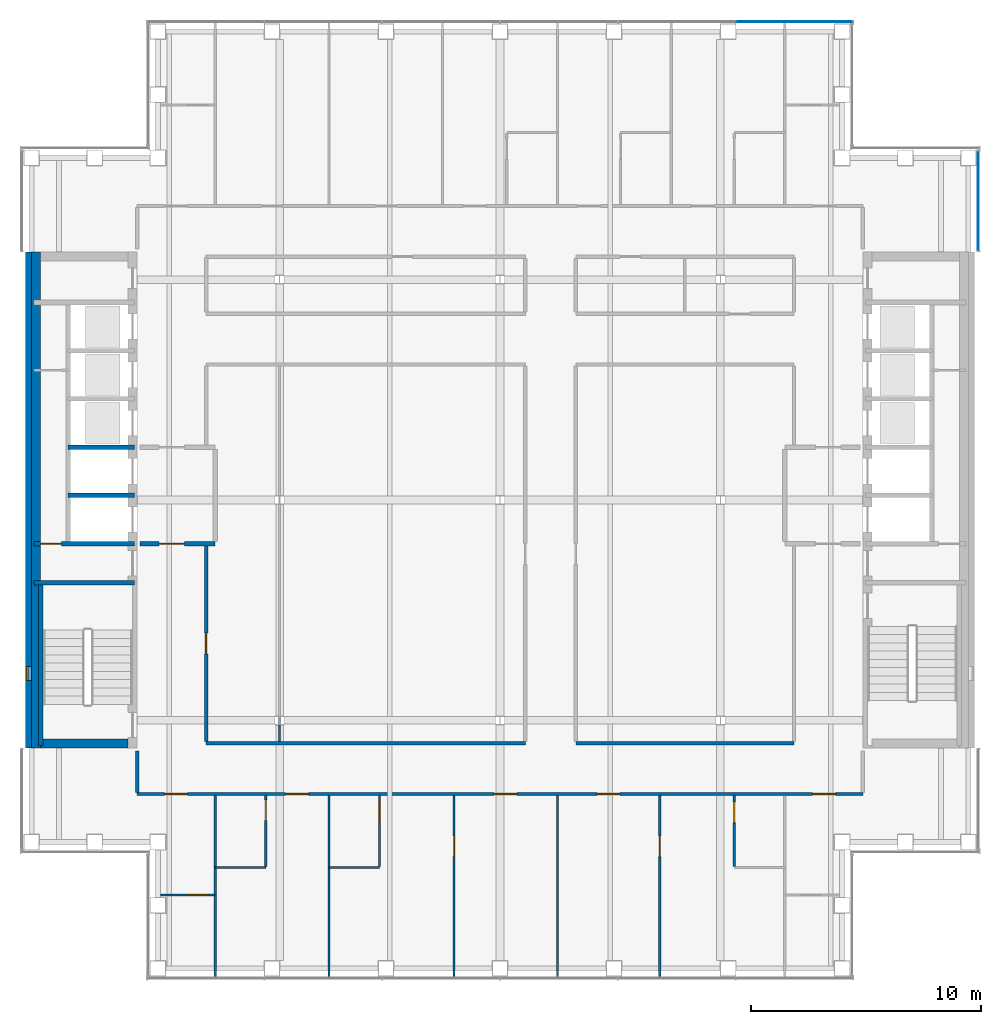
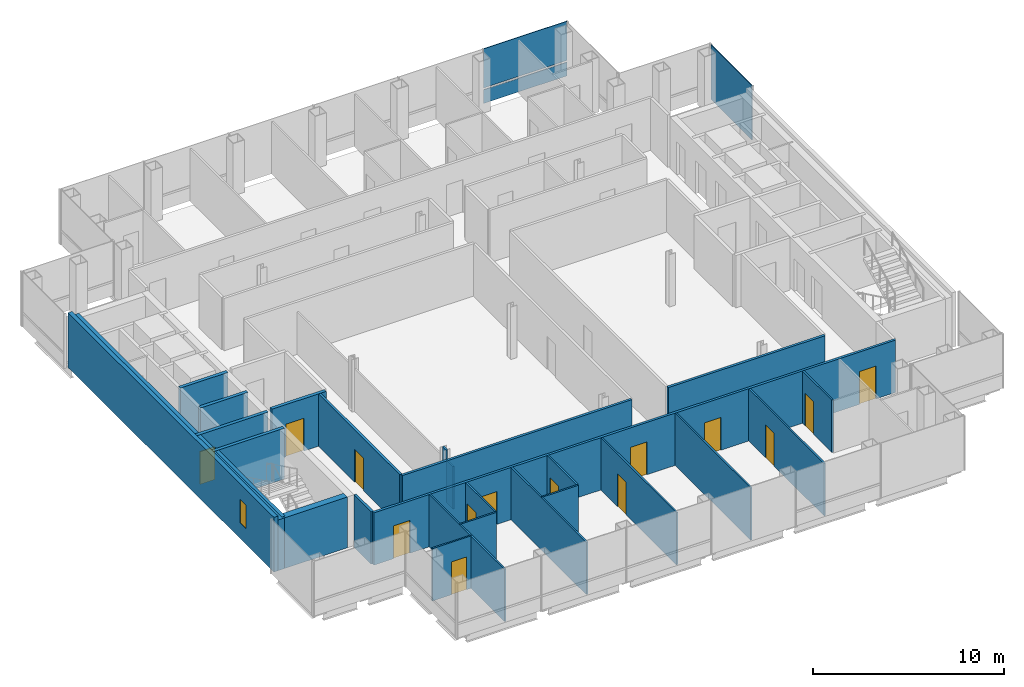
# One storey, part 10 of 15: 27 walls, 14 doors, 3 plates, 1 window, 15 openings, 2 elements without a shape of their own.
"""IFC4 building model written with IfcOpenShell, lengths in metres."""

from ifc_helpers import new_model, si_unit, direction, frame, frame_2d, origin, origin_2d, place, context, subcontext, project, spatial, rectangle, extrude, material, layer, layer_set, type_object, element, fill, aggregate, save


model = new_model("IFC4")

# Units and contexts
model_context = context("Model", 3, precision=1e-05, world=origin(), true_north=direction((0.0, 1.0)))
body_context = subcontext(model_context, "Body", "Model", "MODEL_VIEW")
ifc_project = project(units=[si_unit("LENGTHUNIT", "METRE"), si_unit("AREAUNIT", "SQUARE_METRE"), si_unit("VOLUMEUNIT", "CUBIC_METRE"), si_unit("PLANEANGLEUNIT", "RADIAN"), si_unit("MASSUNIT", "GRAM", prefix="KILO")], contexts=[model_context])

# Site, building, storey
site_placement = place(None, origin())
site = spatial("IfcSite", under=ifc_project, at=site_placement, CompositionType="ELEMENT")
building_placement = place(site_placement, origin())
building = spatial("IfcBuilding", under=site, at=building_placement, Name="Cobrizo Arcos Hotel Tower", CompositionType="ELEMENT")
storey_placement = place(building_placement, frame((0.0, 0.0, 215.5)))
storey = spatial("IfcBuildingStorey", under=building, at=storey_placement, Name="L56", CompositionType="ELEMENT", Elevation=215.5)

# Curtain wall, plate
ifc_material_1 = material(Name="Aluminium 6063-T6 anodised bronze", Category="aluminium")
curtain_wall_type = type_object("IfcCurtainWallType", Name="CW-A guest facade", PredefinedType="NOTDEFINED", material=ifc_material_1)
curtain_wall_1_placement = place(storey_placement, origin())
curtain_wall_1 = element("IfcCurtainWall", 1, at=curtain_wall_1_placement, inside=storey, type_object=curtain_wall_type, Name="CW-A L56 N face", PredefinedType="NOTDEFINED")
ifc_material_2 = material(Name="Glass clear laminated low-e", Category="glass")
ifc_layer_1 = layer(ifc_material_2, 0.0400390625)
ifc_layer_set_1 = layer_set([ifc_layer_1], Name="CW-A glass panel")
plate_type_1 = type_object("IfcPlateType", Name="CW-A glass panel", PredefinedType="CURTAIN_PANEL", material=ifc_layer_set_1)
plate_1_placement = place(storey_placement, frame((12.818359375, 20.824951171875, 0.990234375), z_axis=(0.0, 0.0, 1.0), x_axis=(-1.0, 0.0, 0.0)))
plate_1 = element("IfcPlate", 2, at=plate_1_placement, type_object=plate_type_1, Name="CW-A glass panel 1876", PredefinedType="CURTAIN_PANEL", context=body_context, shape_type="SweptSolid", body=[
    extrude(rectangle(XDim=5.043212890625, YDim=0.0400390625, at=origin_2d()), origin(), (0.0, 0.0, 1.0), 2.510009765625),
])

curtain_wall_2_placement = place(storey_placement, origin())
curtain_wall_2 = element("IfcCurtainWall", 3, at=curtain_wall_2_placement, inside=storey, type_object=curtain_wall_type, Name="CW-A L56 E face", PredefinedType="NOTDEFINED")
ifc_material_3 = material(Name="Aluminium composite panel pale metal", Category="aluminium")
ifc_layer_2 = layer(ifc_material_3, 0.0400390625)
ifc_layer_set_2 = layer_set([ifc_layer_2], Name="CW-A spandrel panel")
plate_type_2 = type_object("IfcPlateType", Name="CW-A spandrel panel", PredefinedType="CURTAIN_PANEL", material=ifc_layer_set_2)
plate_2_placement = place(storey_placement, frame((20.824951171875, 13.02490234375, 0.0), z_axis=(0.0, 0.0, 1.0), x_axis=(0.0, 1.0, 0.0)))
plate_2 = element("IfcPlate", 4, at=plate_2_placement, type_object=plate_type_2, Name="CW-A spandrel panel 1873", PredefinedType="CURTAIN_PANEL", context=body_context, shape_type="SweptSolid", body=[
    extrude(rectangle(XDim=4.330078125, YDim=0.0400390625, at=origin_2d()), origin(), (0.0, 0.0, 1.0), 3.5),
])
aggregate(curtain_wall_2, [plate_2])

# Plate
plate_3_placement = place(storey_placement, frame((12.818359375, 20.824951171875, 0.0), z_axis=(0.0, 0.0, 1.0), x_axis=(-1.0, 0.0, 0.0)))
plate_3 = element("IfcPlate", 5, at=plate_3_placement, type_object=plate_type_2, Name="CW-A spandrel panel 1876", PredefinedType="CURTAIN_PANEL", context=body_context, shape_type="SweptSolid", body=[
    extrude(rectangle(XDim=5.043212890625, YDim=0.0400390625, at=origin_2d()), origin(), (0.0, 0.0, 1.0), 0.8701171875),
])

aggregate(curtain_wall_1, [plate_3, plate_1])

# Wall, openings, doors
ifc_material_4 = material(Name="Gypsum board partition")
ifc_layer_3 = layer(ifc_material_4, 0.14990234375)
ifc_layer_set_3 = layer_set([ifc_layer_3], Name="Corridor wall EI 60 150")
wall_type_1 = type_object("IfcWallType", Name="Corridor wall EI 60 150", PredefinedType="PARTITIONING", material=ifc_layer_set_3)
wall_1_placement = place(storey_placement, frame((-15.800048828125, -12.800048828125, 0.0), z_axis=(0.0, 0.0, 1.0), x_axis=(1.0, 0.0, 0.0)))
wall_1 = element("IfcWall", 6, at=wall_1_placement, inside=storey, type_object=wall_type_1, Name="Partition 006", PredefinedType="PARTITIONING", context=body_context, shape_type="SweptSolid", body=[
    extrude(rectangle(XDim=31.60009765625, YDim=0.14990234375, at=frame_2d((15.800048828125, 0.0))), origin(), (0.0, 0.0, 1.0), 3.35009765625),
])
opening_1_placement = place(wall_1_placement, frame((6.466064453125, 0.0, 0.0)))
opening_1 = element("IfcOpeningElement", 7, at=opening_1_placement, cuts=wall_1, Name="Opening GD-04", PredefinedType="OPENING", context=body_context, shape_type="SweptSolid", body=[
    extrude(rectangle(XDim=1.0, YDim=2.10009765625, at=frame_2d((0.5, 1.050048828125))), frame((0.0, 0.0869140625, 0.0), z_axis=(0.0, -1.0, 0.0), x_axis=(1.0, 0.0, 0.0)), (0.0, 0.0, 1.0), 0.173828125),
])
opening_2_placement = place(wall_1_placement, frame((15.548095703125, 0.0, 0.0)))
opening_2 = element("IfcOpeningElement", 8, at=opening_2_placement, cuts=wall_1, Name="Opening GD-05", PredefinedType="OPENING", context=body_context, shape_type="SweptSolid", body=[
    extrude(rectangle(XDim=1.0, YDim=2.10009765625, at=frame_2d((0.5, 1.050048828125))), frame((0.0, 0.0869140625, 0.0), z_axis=(0.0, -1.0, 0.0), x_axis=(1.0, 0.0, 0.0)), (0.0, 0.0, 1.0), 0.173828125),
])
opening_3_placement = place(wall_1_placement, frame((20.01806640625, 0.0, 0.0)))
opening_3 = element("IfcOpeningElement", 9, at=opening_3_placement, cuts=wall_1, Name="Opening GD-06", PredefinedType="OPENING", context=body_context, shape_type="SweptSolid", body=[
    extrude(rectangle(XDim=1.0, YDim=2.10009765625, at=frame_2d((0.5, 1.050048828125))), frame((0.0, 0.0869140625, 0.0), z_axis=(0.0, -1.0, 0.0), x_axis=(1.0, 0.0, 0.0)), (0.0, 0.0, 1.0), 0.173828125),
])
opening_4_placement = place(wall_1_placement, frame((1.19189453125, 0.0, 0.0)))
opening_4 = element("IfcOpeningElement", 10, at=opening_4_placement, cuts=wall_1, Name="Opening GD-07", PredefinedType="OPENING", context=body_context, shape_type="SweptSolid", body=[
    extrude(rectangle(XDim=1.0, YDim=2.10009765625, at=frame_2d((0.5, 1.050048828125))), frame((0.0, 0.0869140625, 0.0), z_axis=(0.0, -1.0, 0.0), x_axis=(1.0, 0.0, 0.0)), (0.0, 0.0, 1.0), 0.173828125),
])
opening_5_placement = place(wall_1_placement, frame((29.408935546875, 0.0, 0.0)))
opening_5 = element("IfcOpeningElement", 11, at=opening_5_placement, cuts=wall_1, Name="Opening GD-09", PredefinedType="OPENING", context=body_context, shape_type="SweptSolid", body=[
    extrude(rectangle(XDim=1.0, YDim=2.10009765625, at=frame_2d((0.5, 1.050048828125))), frame((0.0, 0.0869140625, 0.0), z_axis=(0.0, -1.0, 0.0), x_axis=(1.0, 0.0, 0.0)), (0.0, 0.0, 1.0), 0.173828125),
])
ifc_material_5 = material(Name="Timber door leaf", Category="wood")
door_type_1 = type_object("IfcDoorType", Name="Guest room door FD30S 1000x2100", OperationType="SINGLE_SWING_LEFT", PredefinedType="DOOR", material=ifc_material_5)
door_1_placement = place(opening_1_placement, origin())
door_1 = element("IfcDoor", 12, at=door_1_placement, inside=storey, type_object=door_type_1, Name="Door GD-04", OperationType="SINGLE_SWING_LEFT", OverallHeight=2.10009765625, OverallWidth=1.0, PredefinedType="DOOR", context=body_context, shape_type="SweptSolid", body=[
    extrude(rectangle(XDim=1.0, YDim=2.10009765625, at=frame_2d((0.5, 1.050048828125))), frame((0.0, 0.02490234375, 0.0), z_axis=(0.0, -1.0, 0.0), x_axis=(1.0, 0.0, 0.0)), (0.0, 0.0, 1.0), 0.050048828125),
])
fill(opening_1, door_1)
door_2_placement = place(opening_2_placement, origin())
door_2 = element("IfcDoor", 13, at=door_2_placement, inside=storey, type_object=door_type_1, Name="Door GD-05", OperationType="SINGLE_SWING_RIGHT", OverallHeight=2.10009765625, OverallWidth=1.0, PredefinedType="DOOR", context=body_context, shape_type="SweptSolid", body=[
    extrude(rectangle(XDim=1.0, YDim=2.10009765625, at=frame_2d((0.5, 1.050048828125))), frame((0.0, 0.02490234375, 0.0), z_axis=(0.0, -1.0, 0.0), x_axis=(1.0, 0.0, 0.0)), (0.0, 0.0, 1.0), 0.050048828125),
])
fill(opening_2, door_2)
door_3_placement = place(opening_3_placement, origin())
door_3 = element("IfcDoor", 14, at=door_3_placement, inside=storey, type_object=door_type_1, Name="Door GD-06", OperationType="SINGLE_SWING_LEFT", OverallHeight=2.10009765625, OverallWidth=1.0, PredefinedType="DOOR", context=body_context, shape_type="SweptSolid", body=[
    extrude(rectangle(XDim=1.0, YDim=2.10009765625, at=frame_2d((0.5, 1.050048828125))), frame((0.0, 0.02490234375, 0.0), z_axis=(0.0, -1.0, 0.0), x_axis=(1.0, 0.0, 0.0)), (0.0, 0.0, 1.0), 0.050048828125),
])
fill(opening_3, door_3)
door_4_placement = place(opening_4_placement, origin())
door_4 = element("IfcDoor", 15, at=door_4_placement, inside=storey, type_object=door_type_1, Name="Door GD-07", OperationType="SINGLE_SWING_RIGHT", OverallHeight=2.10009765625, OverallWidth=1.0, PredefinedType="DOOR", context=body_context, shape_type="SweptSolid", body=[
    extrude(rectangle(XDim=1.0, YDim=2.10009765625, at=frame_2d((0.5, 1.050048828125))), frame((0.0, 0.02490234375, 0.0), z_axis=(0.0, -1.0, 0.0), x_axis=(1.0, 0.0, 0.0)), (0.0, 0.0, 1.0), 0.050048828125),
])
fill(opening_4, door_4)
door_5_placement = place(opening_5_placement, origin())
door_5 = element("IfcDoor", 16, at=door_5_placement, inside=storey, type_object=door_type_1, Name="Door GD-09", OperationType="SINGLE_SWING_LEFT", OverallHeight=2.10009765625, OverallWidth=1.0, PredefinedType="DOOR", context=body_context, shape_type="SweptSolid", body=[
    extrude(rectangle(XDim=1.0, YDim=2.10009765625, at=frame_2d((0.5, 1.050048828125))), frame((0.0, 0.02490234375, 0.0), z_axis=(0.0, -1.0, 0.0), x_axis=(1.0, 0.0, 0.0)), (0.0, 0.0, 1.0), 0.050048828125),
])
fill(opening_5, door_5)

# Walls
wall_2_placement = place(storey_placement, frame((-12.800048828125, -10.60009765625, 0.0), z_axis=(0.0, 0.0, 1.0), x_axis=(1.0, 0.0, 0.0)))
element("IfcWall", 17, at=wall_2_placement, inside=storey, type_object=wall_type_1, Name="Partition 007", PredefinedType="PARTITIONING", context=body_context, shape_type="SweptSolid", body=[
    extrude(rectangle(XDim=13.900146484375, YDim=0.14990234375, at=frame_2d((6.9501953125, 0.0))), origin(), (0.0, 0.0, 1.0), 3.35009765625),
])
wall_3_placement = place(storey_placement, frame((3.300048828125, -10.60009765625, 0.0), z_axis=(0.0, 0.0, 1.0), x_axis=(1.0, 0.0, 0.0)))
element("IfcWall", 18, at=wall_3_placement, inside=storey, type_object=wall_type_1, Name="Partition 008", PredefinedType="PARTITIONING", context=body_context, shape_type="SweptSolid", body=[
    extrude(rectangle(XDim=9.5, YDim=0.14990234375, at=frame_2d((4.75, 0.0))), origin(), (0.0, 0.0, 1.0), 3.35009765625),
])
wall_4_placement = place(storey_placement, frame((-15.800048828125, -12.72509765625, 0.0), z_axis=(0.0, 0.0, 1.0), x_axis=(0.0, 1.0, 0.0)))
element("IfcWall", 19, at=wall_4_placement, inside=storey, type_object=wall_type_1, Name="Partition 043", PredefinedType="PARTITIONING", context=body_context, shape_type="SweptSolid", body=[
    extrude(rectangle(XDim=1.80517578125, YDim=0.14990234375, at=frame_2d((0.902587890625, 0.0))), origin(), (0.0, 0.0, 1.0), 3.35009765625),
])

# Wall, opening, door
wall_5_placement = place(storey_placement, frame((-12.800048828125, -10.52490234375, 0.0), z_axis=(0.0, 0.0, 1.0), x_axis=(0.0, 1.0, 0.0)))
wall_5 = element("IfcWall", 20, at=wall_5_placement, inside=storey, type_object=wall_type_1, Name="Partition 045", PredefinedType="PARTITIONING", context=body_context, shape_type="SweptSolid", body=[
    extrude(rectangle(XDim=8.52490234375, YDim=0.14990234375, at=frame_2d((4.262451171875, 0.0))), origin(), (0.0, 0.0, 1.0), 3.35009765625),
])
opening_6_placement = place(wall_5_placement, frame((3.824951171875, 0.0, 0.0)))
opening_6 = element("IfcOpeningElement", 21, at=opening_6_placement, cuts=wall_5, Name="Opening RD-11", PredefinedType="OPENING", context=body_context, shape_type="SweptSolid", body=[
    extrude(rectangle(XDim=0.89990234375, YDim=2.10009765625, at=frame_2d((0.449951171875, 1.050048828125))), frame((0.0, 0.0869140625, 0.0), z_axis=(0.0, -1.0, 0.0), x_axis=(1.0, 0.0, 0.0)), (0.0, 0.0, 1.0), 0.173828125),
])
door_type_2 = type_object("IfcDoorType", Name="Room door FD30 900x2100", OperationType="SINGLE_SWING_LEFT", PredefinedType="DOOR", material=ifc_material_5)
door_6_placement = place(opening_6_placement, origin())
door_6 = element("IfcDoor", 22, at=door_6_placement, inside=storey, type_object=door_type_2, Name="Door RD-11", OperationType="SINGLE_SWING_LEFT", OverallHeight=2.10009765625, OverallWidth=0.89990234375, PredefinedType="DOOR", context=body_context, shape_type="SweptSolid", body=[
    extrude(rectangle(XDim=0.89990234375, YDim=2.10009765625, at=frame_2d((0.449951171875, 1.050048828125))), frame((0.0, 0.02490234375, 0.0), z_axis=(0.0, -1.0, 0.0), x_axis=(1.0, 0.0, 0.0)), (0.0, 0.0, 1.0), 0.050048828125),
])
fill(opening_6, door_6)

# Wall, opening, window
ifc_layer_4 = layer(ifc_material_3, 0.25)
ifc_layer_set_4 = layer_set([ifc_layer_4], Name="EW-1 insulated panel wall 250")
wall_type_2 = type_object("IfcWallType", Name="EW-1 insulated panel wall 250", PredefinedType="SOLIDWALL", material=ifc_layer_set_4)
wall_6_placement = place(storey_placement, frame((-20.52490234375, 10.800048828125, 0.0), z_axis=(0.0, 0.0, 1.0), x_axis=(0.0, -1.0, 0.0)))
wall_6 = element("IfcWall", 23, at=wall_6_placement, inside=storey, type_object=wall_type_2, Name="Core face wall L56 W", PredefinedType="SOLIDWALL", context=body_context, shape_type="SweptSolid", body=[
    extrude(rectangle(XDim=21.60009765625, YDim=0.25, at=frame_2d((10.800048828125, 0.0))), origin(), (0.0, 0.0, 1.0), 3.5),
])
opening_7_placement = place(wall_6_placement, frame((18.050048828125, 0.0, 1.0)))
opening_7 = element("IfcOpeningElement", 24, at=opening_7_placement, cuts=wall_6, Name="Opening W-126", PredefinedType="OPENING", context=body_context, shape_type="SweptSolid", body=[
    extrude(rectangle(XDim=0.60009765625, YDim=1.5, at=frame_2d((0.300048828125, 0.75))), frame((0.0, 0.136962890625, 0.0), z_axis=(0.0, -1.0, 0.0), x_axis=(1.0, 0.0, 0.0)), (0.0, 0.0, 1.0), 0.27392578125),
])
ifc_material_6 = material(Name="Aluminium 6063-T6 and clear laminated glass", Category="aluminium")
window_type = type_object("IfcWindowType", Name="W-C1 core stair slot window 600x1500", PartitioningType="SINGLE_PANEL", PredefinedType="WINDOW", material=ifc_material_6)
window_placement = place(opening_7_placement, origin())
window = element("IfcWindow", 25, at=window_placement, inside=storey, type_object=window_type, Name="Core face wall L56 W window W-126", OverallHeight=1.5, OverallWidth=0.60009765625, PartitioningType="SINGLE_PANEL", PredefinedType="WINDOW", context=body_context, shape_type="SweptSolid", body=[
    extrude(rectangle(XDim=0.60009765625, YDim=1.5, at=frame_2d((0.300048828125, 0.75))), frame((0.0, -0.034912109375, 0.0), z_axis=(0.0, -1.0, 0.0), x_axis=(1.0, 0.0, 0.0)), (0.0, 0.0, 1.0), 0.06005859375),
])
fill(opening_7, window)

# Wall, opening, door
ifc_layer_5 = layer(ifc_material_4, 0.10009765625)
ifc_layer_set_5 = layer_set([ifc_layer_5], Name="Partition EI 30 100")
wall_type_3 = type_object("IfcWallType", Name="Partition EI 30 100", PredefinedType="PARTITIONING", material=ifc_layer_set_5)
wall_7_placement = place(storey_placement, frame((-14.780029296875, -17.199951171875, 0.0), z_axis=(0.0, 0.0, 1.0), x_axis=(1.0, 0.0, 0.0)))
wall_7 = element("IfcWall", 26, at=wall_7_placement, inside=storey, type_object=wall_type_3, Name="Partition 001", PredefinedType="PARTITIONING", context=body_context, shape_type="SweptSolid", body=[
    extrude(rectangle(XDim=2.380126953125, YDim=0.10009765625, at=frame_2d((1.18994140625, 0.0))), origin(), (0.0, 0.0, 1.0), 3.35009765625),
])
opening_8_placement = place(wall_7_placement, frame((1.16796875, 0.0, 0.0)))
opening_8 = element("IfcOpeningElement", 27, at=opening_8_placement, cuts=wall_7, Name="Opening ED-08", PredefinedType="OPENING", context=body_context, shape_type="SweptSolid", body=[
    extrude(rectangle(XDim=0.89990234375, YDim=2.10009765625, at=frame_2d((0.449951171875, 1.050048828125))), frame((0.0, 0.06201171875, 0.0), z_axis=(0.0, -1.0, 0.0), x_axis=(1.0, 0.0, 0.0)), (0.0, 0.0, 1.0), 0.1240234375),
])
door_type_3 = type_object("IfcDoorType", Name="En-suite door 900x2100", OperationType="SINGLE_SWING_LEFT", PredefinedType="DOOR", material=ifc_material_5)
door_7_placement = place(opening_8_placement, origin())
door_7 = element("IfcDoor", 28, at=door_7_placement, inside=storey, type_object=door_type_3, Name="Door ED-08", OperationType="SINGLE_SWING_RIGHT", OverallHeight=2.10009765625, OverallWidth=0.89990234375, PredefinedType="DOOR", context=body_context, shape_type="SweptSolid", body=[
    extrude(rectangle(XDim=0.89990234375, YDim=2.10009765625, at=frame_2d((0.449951171875, 1.050048828125))), frame((0.0, 0.02490234375, 0.0), z_axis=(0.0, -1.0, 0.0), x_axis=(1.0, 0.0, 0.0)), (0.0, 0.0, 1.0), 0.050048828125),
])
fill(opening_8, door_7)

# Walls
for number, where, z_axis, x_axis, name in (
    (29, (-12.39990234375, -16.0, 0.0), (0.0, 0.0, 1.0), (1.0, 0.0, 0.0), "Partition 003"),
    (30, (-7.449951171875, -16.0, 0.0), (0.0, 0.0, 1.0), (1.0, 0.0, 0.0), "Partition 004"),
):
    element("IfcWall", number, at=place(storey_placement, frame(where, z_axis=z_axis, x_axis=x_axis)), inside=storey, type_object=wall_type_3, Name=name, PredefinedType="PARTITIONING", context=body_context, shape_type="SweptSolid", body=[
        extrude(rectangle(XDim=2.199951171875, YDim=0.10009765625, at=frame_2d((1.10009765625, 0.0))), origin(), (0.0, 0.0, 1.0), 3.35009765625),
    ])
wall_8_placement = place(storey_placement, frame((-12.39990234375, -20.780029296875, 0.0), z_axis=(0.0, 0.0, 1.0), x_axis=(0.0, 1.0, 0.0)))
element("IfcWall", 31, at=wall_8_placement, inside=storey, type_object=wall_type_3, Name="Partition 048", PredefinedType="PARTITIONING", context=body_context, shape_type="SweptSolid", body=[
    extrude(rectangle(XDim=7.905029296875, YDim=0.10009765625, at=frame_2d((3.95263671875, 0.0))), origin(), (0.0, 0.0, 1.0), 3.35009765625),
])

# Wall, opening, door
wall_9_placement = place(storey_placement, frame((-10.199951171875, -15.949951171875, 0.0), z_axis=(0.0, 0.0, 1.0), x_axis=(0.0, 1.0, 0.0)))
wall_9 = element("IfcWall", 32, at=wall_9_placement, inside=storey, type_object=wall_type_3, Name="Partition 051", PredefinedType="PARTITIONING", context=body_context, shape_type="SweptSolid", body=[
    extrude(rectangle(XDim=3.074951171875, YDim=0.10009765625, at=frame_2d((1.53759765625, 0.0))), origin(), (0.0, 0.0, 1.0), 3.35009765625),
])
opening_9_placement = place(wall_9_placement, frame((1.99609375, 0.0, 0.0)))
opening_9 = element("IfcOpeningElement", 33, at=opening_9_placement, cuts=wall_9, Name="Opening ED-05", PredefinedType="OPENING", context=body_context, shape_type="SweptSolid", body=[
    extrude(rectangle(XDim=0.89990234375, YDim=2.10009765625, at=frame_2d((0.449951171875, 1.050048828125))), frame((0.0, 0.06201171875, 0.0), z_axis=(0.0, -1.0, 0.0), x_axis=(1.0, 0.0, 0.0)), (0.0, 0.0, 1.0), 0.1240234375),
])
door_8_placement = place(opening_9_placement, origin())
door_8 = element("IfcDoor", 34, at=door_8_placement, inside=storey, type_object=door_type_3, Name="Door ED-05", OperationType="SINGLE_SWING_LEFT", OverallHeight=2.10009765625, OverallWidth=0.89990234375, PredefinedType="DOOR", context=body_context, shape_type="SweptSolid", body=[
    extrude(rectangle(XDim=0.89990234375, YDim=2.10009765625, at=frame_2d((0.449951171875, 1.050048828125))), frame((0.0, 0.02490234375, 0.0), z_axis=(0.0, -1.0, 0.0), x_axis=(1.0, 0.0, 0.0)), (0.0, 0.0, 1.0), 0.050048828125),
])
fill(opening_9, door_8)

# Walls
wall_10_placement = place(storey_placement, frame((-9.60009765625, -10.52490234375, 0.0), z_axis=(0.0, 0.0, 1.0), x_axis=(0.0, 1.0, 0.0)))
element("IfcWall", 35, at=wall_10_placement, inside=storey, type_object=wall_type_3, Name="Partition 052", PredefinedType="PARTITIONING", context=body_context, shape_type="SweptSolid", body=[
    extrude(rectangle(XDim=0.73779296875, YDim=0.10009765625, at=frame_2d((0.368896484375, 0.0))), origin(), (0.0, 0.0, 1.0), 2.72802734375),
])
wall_11_placement = place(storey_placement, frame((-9.60009765625, -9.787109375, 0.0), z_axis=(0.0, 0.0, 1.0), x_axis=(0.0, 1.0, 0.0)))
element("IfcWall", 36, at=wall_11_placement, inside=storey, type_object=wall_type_3, Name="Partition 053", PredefinedType="PARTITIONING", context=body_context, shape_type="SweptSolid", body=[
    extrude(rectangle(XDim=0.3740234375, YDim=0.10009765625, at=frame_2d((0.18701171875, 0.0))), origin(), (0.0, 0.0, 1.0), 3.35009765625),
])
wall_12_placement = place(storey_placement, frame((-7.449951171875, -20.780029296875, 0.0), z_axis=(0.0, 0.0, 1.0), x_axis=(0.0, 1.0, 0.0)))
element("IfcWall", 37, at=wall_12_placement, inside=storey, type_object=wall_type_3, Name="Partition 057", PredefinedType="PARTITIONING", context=body_context, shape_type="SweptSolid", body=[
    extrude(rectangle(XDim=7.905029296875, YDim=0.10009765625, at=frame_2d((3.95263671875, 0.0))), origin(), (0.0, 0.0, 1.0), 3.35009765625),
])

# Wall, opening, door
wall_13_placement = place(storey_placement, frame((-5.25, -15.949951171875, 0.0), z_axis=(0.0, 0.0, 1.0), x_axis=(0.0, 1.0, 0.0)))
wall_13 = element("IfcWall", 38, at=wall_13_placement, inside=storey, type_object=wall_type_3, Name="Partition 059", PredefinedType="PARTITIONING", context=body_context, shape_type="SweptSolid", body=[
    extrude(rectangle(XDim=3.074951171875, YDim=0.10009765625, at=frame_2d((1.53759765625, 0.0))), origin(), (0.0, 0.0, 1.0), 3.35009765625),
])
opening_10_placement = place(wall_13_placement, frame((1.89990234375, 0.0, 0.0)))
opening_10 = element("IfcOpeningElement", 39, at=opening_10_placement, cuts=wall_13, Name="Opening ED-06", PredefinedType="OPENING", context=body_context, shape_type="SweptSolid", body=[
    extrude(rectangle(XDim=0.89990234375, YDim=2.10009765625, at=frame_2d((0.449951171875, 1.050048828125))), frame((0.0, 0.06201171875, 0.0), z_axis=(0.0, -1.0, 0.0), x_axis=(1.0, 0.0, 0.0)), (0.0, 0.0, 1.0), 0.1240234375),
])
door_9_placement = place(opening_10_placement, origin())
door_9 = element("IfcDoor", 40, at=door_9_placement, inside=storey, type_object=door_type_3, Name="Door ED-06", OperationType="SINGLE_SWING_LEFT", OverallHeight=2.10009765625, OverallWidth=0.89990234375, PredefinedType="DOOR", context=body_context, shape_type="SweptSolid", body=[
    extrude(rectangle(XDim=0.89990234375, YDim=2.10009765625, at=frame_2d((0.449951171875, 1.050048828125))), frame((0.0, 0.02490234375, 0.0), z_axis=(0.0, -1.0, 0.0), x_axis=(1.0, 0.0, 0.0)), (0.0, 0.0, 1.0), 0.050048828125),
])
fill(opening_10, door_9)

wall_14_placement = place(storey_placement, frame((-2.0, -20.780029296875, 0.0), z_axis=(0.0, 0.0, 1.0), x_axis=(0.0, 1.0, 0.0)))
wall_14 = element("IfcWall", 41, at=wall_14_placement, inside=storey, type_object=wall_type_3, Name="Partition 061", PredefinedType="PARTITIONING", context=body_context, shape_type="SweptSolid", body=[
    extrude(rectangle(XDim=7.905029296875, YDim=0.10009765625, at=frame_2d((3.95263671875, 0.0))), origin(), (0.0, 0.0, 1.0), 3.35009765625),
])
opening_11_placement = place(wall_14_placement, frame((5.25, 0.0, 0.0)))
opening_11 = element("IfcOpeningElement", 42, at=opening_11_placement, cuts=wall_14, Name="Opening RD-08", PredefinedType="OPENING", context=body_context, shape_type="SweptSolid", body=[
    extrude(rectangle(XDim=0.89990234375, YDim=2.10009765625, at=frame_2d((0.449951171875, 1.050048828125))), frame((0.0, 0.06201171875, 0.0), z_axis=(0.0, -1.0, 0.0), x_axis=(1.0, 0.0, 0.0)), (0.0, 0.0, 1.0), 0.1240234375),
])
door_10_placement = place(opening_11_placement, origin())
door_10 = element("IfcDoor", 43, at=door_10_placement, inside=storey, type_object=door_type_2, Name="Door RD-08", OperationType="SINGLE_SWING_LEFT", OverallHeight=2.10009765625, OverallWidth=0.89990234375, PredefinedType="DOOR", context=body_context, shape_type="SweptSolid", body=[
    extrude(rectangle(XDim=0.89990234375, YDim=2.10009765625, at=frame_2d((0.449951171875, 1.050048828125))), frame((0.0, 0.02490234375, 0.0), z_axis=(0.0, -1.0, 0.0), x_axis=(1.0, 0.0, 0.0)), (0.0, 0.0, 1.0), 0.050048828125),
])
fill(opening_11, door_10)

# Wall
wall_15_placement = place(storey_placement, frame((2.5, -20.780029296875, 0.0), z_axis=(0.0, 0.0, 1.0), x_axis=(0.0, 1.0, 0.0)))
element("IfcWall", 44, at=wall_15_placement, inside=storey, type_object=wall_type_3, Name="Partition 065", PredefinedType="PARTITIONING", context=body_context, shape_type="SweptSolid", body=[
    extrude(rectangle(XDim=7.905029296875, YDim=0.10009765625, at=frame_2d((3.95263671875, 0.0))), origin(), (0.0, 0.0, 1.0), 3.35009765625),
])

# Wall, opening, door
wall_16_placement = place(storey_placement, frame((6.949951171875, -20.780029296875, 0.0), z_axis=(0.0, 0.0, 1.0), x_axis=(0.0, 1.0, 0.0)))
wall_16 = element("IfcWall", 45, at=wall_16_placement, inside=storey, type_object=wall_type_3, Name="Partition 070", PredefinedType="PARTITIONING", context=body_context, shape_type="SweptSolid", body=[
    extrude(rectangle(XDim=7.905029296875, YDim=0.10009765625, at=frame_2d((3.95263671875, 0.0))), origin(), (0.0, 0.0, 1.0), 3.35009765625),
])
opening_12_placement = place(wall_16_placement, frame((5.25, 0.0, 0.0)))
opening_12 = element("IfcOpeningElement", 46, at=opening_12_placement, cuts=wall_16, Name="Opening RD-09", PredefinedType="OPENING", context=body_context, shape_type="SweptSolid", body=[
    extrude(rectangle(XDim=0.89990234375, YDim=2.10009765625, at=frame_2d((0.449951171875, 1.050048828125))), frame((0.0, 0.06201171875, 0.0), z_axis=(0.0, -1.0, 0.0), x_axis=(1.0, 0.0, 0.0)), (0.0, 0.0, 1.0), 0.1240234375),
])
door_11_placement = place(opening_12_placement, origin())
door_11 = element("IfcDoor", 47, at=door_11_placement, inside=storey, type_object=door_type_2, Name="Door RD-09", OperationType="SINGLE_SWING_RIGHT", OverallHeight=2.10009765625, OverallWidth=0.89990234375, PredefinedType="DOOR", context=body_context, shape_type="SweptSolid", body=[
    extrude(rectangle(XDim=0.89990234375, YDim=2.10009765625, at=frame_2d((0.449951171875, 1.050048828125))), frame((0.0, 0.02490234375, 0.0), z_axis=(0.0, -1.0, 0.0), x_axis=(1.0, 0.0, 0.0)), (0.0, 0.0, 1.0), 0.050048828125),
])
fill(opening_12, door_11)

wall_17_placement = place(storey_placement, frame((10.199951171875, -15.949951171875, 0.0), z_axis=(0.0, 0.0, 1.0), x_axis=(0.0, 1.0, 0.0)))
wall_17 = element("IfcWall", 48, at=wall_17_placement, inside=storey, type_object=wall_type_3, Name="Partition 073", PredefinedType="PARTITIONING", context=body_context, shape_type="SweptSolid", body=[
    extrude(rectangle(XDim=3.074951171875, YDim=0.10009765625, at=frame_2d((1.53759765625, 0.0))), origin(), (0.0, 0.0, 1.0), 3.35009765625),
])
opening_13_placement = place(wall_17_placement, frame((1.89990234375, 0.0, 0.0)))
opening_13 = element("IfcOpeningElement", 49, at=opening_13_placement, cuts=wall_17, Name="Opening ED-07", PredefinedType="OPENING", context=body_context, shape_type="SweptSolid", body=[
    extrude(rectangle(XDim=0.89990234375, YDim=2.10009765625, at=frame_2d((0.449951171875, 1.050048828125))), frame((0.0, 0.06201171875, 0.0), z_axis=(0.0, -1.0, 0.0), x_axis=(1.0, 0.0, 0.0)), (0.0, 0.0, 1.0), 0.1240234375),
])
door_12_placement = place(opening_13_placement, origin())
door_12 = element("IfcDoor", 50, at=door_12_placement, inside=storey, type_object=door_type_3, Name="Door ED-07", OperationType="SINGLE_SWING_RIGHT", OverallHeight=2.10009765625, OverallWidth=0.89990234375, PredefinedType="DOOR", context=body_context, shape_type="SweptSolid", body=[
    extrude(rectangle(XDim=0.89990234375, YDim=2.10009765625, at=frame_2d((0.449951171875, 1.050048828125))), frame((0.0, 0.02490234375, 0.0), z_axis=(0.0, -1.0, 0.0), x_axis=(1.0, 0.0, 0.0)), (0.0, 0.0, 1.0), 0.050048828125),
])
fill(opening_13, door_12)

# Walls
ifc_material_7 = material(Name="Concrete f'c 40 MPa", Category="concrete")
ifc_layer_6 = layer(ifc_material_7, 0.39990234375)
ifc_layer_set_6 = layer_set([ifc_layer_6], Name="RC core wall 400 f'c 40")
wall_type_4 = type_object("IfcWallType", Name="RC core wall 400 f'c 40", PredefinedType="SHEAR", material=ifc_layer_set_6)
wall_18_placement = place(storey_placement, frame((-20.199951171875, -10.800048828125, 0.0), z_axis=(0.0, 0.0, 1.0), x_axis=(0.0, 1.0, 0.0)))
element("IfcWall", 51, at=wall_18_placement, inside=storey, type_object=wall_type_4, Name="Core wall CW4, west core, outer face, L56", PredefinedType="SHEAR", context=body_context, shape_type="SweptSolid", body=[
    extrude(rectangle(XDim=21.60009765625, YDim=0.39990234375, at=frame_2d((10.800048828125, 0.0))), origin(), (0.0, 0.0, 1.0), 3.25),
])
wall_19_placement = place(storey_placement, frame((-20.0, -10.60009765625, 0.0), z_axis=(0.0, 0.0, 1.0), x_axis=(1.0, 0.0, 0.0)))
element("IfcWall", 52, at=wall_19_placement, inside=storey, type_object=wall_type_4, Name="Core wall CW4, west core, south end, L56", PredefinedType="SHEAR", context=body_context, shape_type="SweptSolid", body=[
    extrude(rectangle(XDim=3.800048828125, YDim=0.39990234375, at=frame_2d((1.89990234375, 0.0))), origin(), (0.0, 0.0, 1.0), 3.25),
])

# Wall, opening, door
ifc_layer_7 = layer(ifc_material_4, 0.199951171875)
ifc_layer_set_7 = layer_set([ifc_layer_7], Name="Shaft wall EI 120 200")
wall_type_5 = type_object("IfcWallType", Name="Shaft wall EI 120 200", PredefinedType="PARTITIONING", material=ifc_layer_set_7)
wall_20_placement = place(storey_placement, frame((-20.280029296875, -1.89990234375, 0.0), z_axis=(0.0, 0.0, 1.0), x_axis=(1.0, 0.0, 0.0)))
wall_20 = element("IfcWall", 53, at=wall_20_placement, inside=storey, type_object=wall_type_5, Name="Partition 011", PredefinedType="PARTITIONING", context=body_context, shape_type="SweptSolid", body=[
    extrude(rectangle(XDim=4.360107421875, YDim=0.199951171875, at=frame_2d((2.18017578125, 0.0))), origin(), (0.0, 0.0, 1.0), 3.25),
])
opening_14_placement = place(wall_20_placement, frame((0.280029296875, 0.0, 0.0)))
opening_14 = element("IfcOpeningElement", 54, at=opening_14_placement, cuts=wall_20, Name="Opening RD-02", PredefinedType="OPENING", context=body_context, shape_type="SweptSolid", body=[
    extrude(rectangle(XDim=0.89990234375, YDim=2.10009765625, at=frame_2d((0.449951171875, 1.050048828125))), frame((0.0, 0.112060546875, 0.0), z_axis=(0.0, -1.0, 0.0), x_axis=(1.0, 0.0, 0.0)), (0.0, 0.0, 1.0), 0.223876953125),
])
door_13_placement = place(opening_14_placement, origin())
door_13 = element("IfcDoor", 55, at=door_13_placement, inside=storey, type_object=door_type_2, Name="Door RD-02", OperationType="SINGLE_SWING_RIGHT", OverallHeight=2.10009765625, OverallWidth=0.89990234375, PredefinedType="DOOR", context=body_context, shape_type="SweptSolid", body=[
    extrude(rectangle(XDim=0.89990234375, YDim=2.10009765625, at=frame_2d((0.449951171875, 1.050048828125))), frame((0.0, 0.02490234375, 0.0), z_axis=(0.0, -1.0, 0.0), x_axis=(1.0, 0.0, 0.0)), (0.0, 0.0, 1.0), 0.050048828125),
])
fill(opening_14, door_13)

wall_21_placement = place(storey_placement, frame((-15.679931640625, -1.89990234375, 0.0), z_axis=(0.0, 0.0, 1.0), x_axis=(1.0, 0.0, 0.0)))
wall_21 = element("IfcWall", 56, at=wall_21_placement, inside=storey, type_object=wall_type_5, Name="Partition 012", PredefinedType="PARTITIONING", context=body_context, shape_type="SweptSolid", body=[
    extrude(rectangle(XDim=3.280029296875, YDim=0.199951171875, at=frame_2d((1.64013671875, 0.0))), origin(), (0.0, 0.0, 1.0), 3.35009765625),
])
opening_15_placement = place(wall_21_placement, frame((0.840087890625, 0.0, 0.0)))
opening_15 = element("IfcOpeningElement", 57, at=opening_15_placement, cuts=wall_21, Name="Opening FD-03", PredefinedType="OPENING", context=body_context, shape_type="SweptSolid", body=[
    extrude(rectangle(XDim=1.10009765625, YDim=2.10009765625, at=frame_2d((0.550048828125, 1.050048828125))), frame((0.0, 0.112060546875, 0.0), z_axis=(0.0, -1.0, 0.0), x_axis=(1.0, 0.0, 0.0)), (0.0, 0.0, 1.0), 0.223876953125),
])
ifc_material_8 = material(Name="Steel door leaf", Category="steel")
door_type_4 = type_object("IfcDoorType", Name="Fire door FD60 1100x2100", OperationType="SINGLE_SWING_LEFT", PredefinedType="DOOR", material=ifc_material_8)
door_14_placement = place(opening_15_placement, origin())
door_14 = element("IfcDoor", 58, at=door_14_placement, inside=storey, type_object=door_type_4, Name="Door FD-03", OperationType="SINGLE_SWING_RIGHT", OverallHeight=2.10009765625, OverallWidth=1.10009765625, PredefinedType="DOOR", context=body_context, shape_type="SweptSolid", body=[
    extrude(rectangle(XDim=1.10009765625, YDim=2.10009765625, at=frame_2d((0.550048828125, 1.050048828125))), frame((0.0, 0.02490234375, 0.0), z_axis=(0.0, -1.0, 0.0), x_axis=(1.0, 0.0, 0.0)), (0.0, 0.0, 1.0), 0.050048828125),
])
fill(opening_15, door_14)

# Walls
for number, where, z_axis, x_axis, name in (
    (59, (-18.800048828125, 0.199951171875, 0.0), (0.0, 0.0, 1.0), (1.0, 0.0, 0.0), "Partition 015"),
    (60, (-18.800048828125, 2.300048828125, 0.0), (0.0, 0.0, 1.0), (1.0, 0.0, 0.0), "Partition 017"),
):
    element("IfcWall", number, at=place(storey_placement, frame(where, z_axis=z_axis, x_axis=x_axis)), inside=storey, type_object=wall_type_5, Name=name, PredefinedType="PARTITIONING", context=body_context, shape_type="SweptSolid", body=[
        extrude(rectangle(XDim=2.880126953125, YDim=0.199951171875, at=frame_2d((1.43994140625, 0.0))), origin(), (0.0, 0.0, 1.0), 3.25),
    ])
ifc_layer_8 = layer(ifc_material_7, 0.199951171875)
ifc_layer_set_8 = layer_set([ifc_layer_8], Name="Stair shaft wall 200")
wall_type_6 = type_object("IfcWallType", Name="Stair shaft wall 200", PredefinedType="SHEAR", material=ifc_layer_set_8)
wall_22_placement = place(storey_placement, frame((-20.280029296875, -3.60009765625, 0.0), z_axis=(0.0, 0.0, 1.0), x_axis=(1.0, 0.0, 0.0)))
element("IfcWall", 61, at=wall_22_placement, inside=storey, type_object=wall_type_6, Name="Stair shaft wall W", PredefinedType="SHEAR", context=body_context, shape_type="SweptSolid", body=[
    extrude(rectangle(XDim=4.360107421875, YDim=0.199951171875, at=frame_2d((2.18017578125, 0.0))), origin(), (0.0, 0.0, 1.0), 3.25),
])
wall_23_placement = place(storey_placement, frame((-20.0, -10.679931640625, 0.0), z_axis=(0.0, 0.0, 1.0), x_axis=(0.0, 1.0, 0.0)))
element("IfcWall", 62, at=wall_23_placement, inside=storey, type_object=wall_type_6, Name="Stair shaft wall W", PredefinedType="SHEAR", context=body_context, shape_type="SweptSolid", body=[
    extrude(rectangle(XDim=6.97998046875, YDim=0.199951171875, at=frame_2d((3.489990234375, 0.0))), origin(), (0.0, 0.0, 1.0), 3.25),
])

save(model, "model.ifc")
